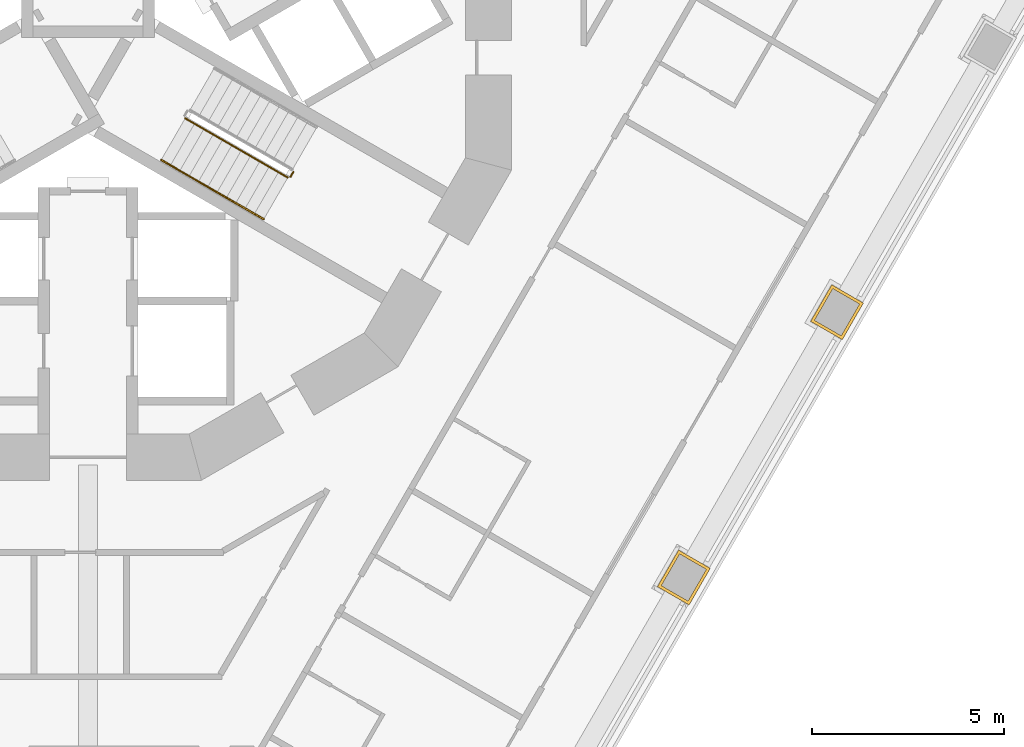
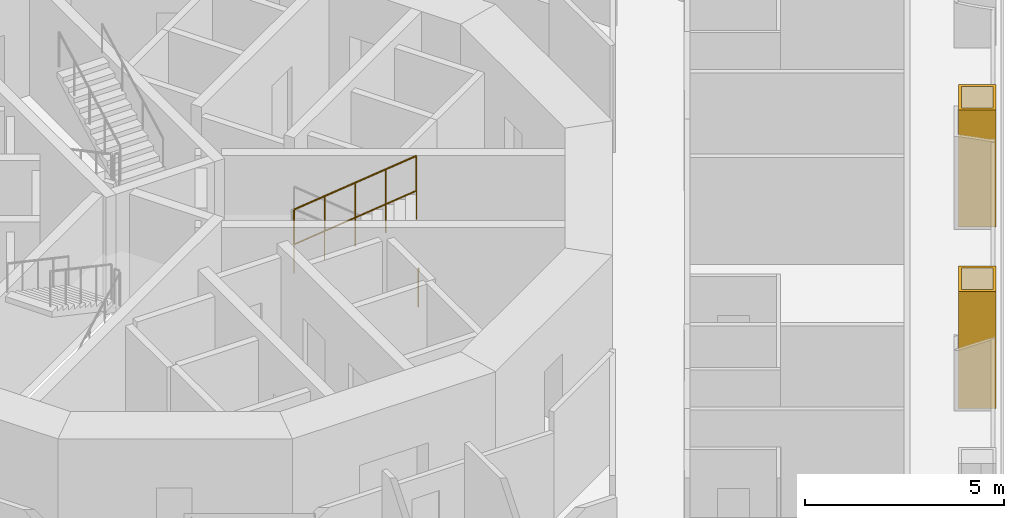
# One storey, part 14 of 19: 4 railings, 2 coverings.
"""IFC4 building model written with IfcOpenShell, lengths in metres."""

from ifc_helpers import new_model, si_unit, direction, frame, origin, origin_2d, place, context, subcontext, project, spatial, polyline, circle, outline, extrude, material, layer, layer_set, type_object, element, save


model = new_model("IFC4")

# Units and contexts
model_context = context("Model", 3, precision=1e-05, world=origin(), true_north=direction((0.0, 1.0)))
body_context = subcontext(model_context, "Body", "Model", "MODEL_VIEW")
ifc_project = project(units=[si_unit("LENGTHUNIT", "METRE"), si_unit("AREAUNIT", "SQUARE_METRE"), si_unit("VOLUMEUNIT", "CUBIC_METRE"), si_unit("PLANEANGLEUNIT", "RADIAN"), si_unit("MASSUNIT", "GRAM", prefix="KILO")], contexts=[model_context])

# Site, building, storey
site_placement = place(None, origin())
site = spatial("IfcSite", under=ifc_project, at=site_placement, CompositionType="ELEMENT")
building_placement = place(site_placement, origin())
building = spatial("IfcBuilding", under=site, at=building_placement, Name="Trine Commons Tower", CompositionType="ELEMENT")
storey_placement = place(building_placement, frame((0.0, 0.0, 31.5)))
storey = spatial("IfcBuildingStorey", under=building, at=storey_placement, Name="L06", CompositionType="ELEMENT", Elevation=31.5)

# Coverings
ifc_material_1 = material(Name="Limestone, honed", Category="masonry")
ifc_layer = layer(ifc_material_1, 0.074951171875)
ifc_layer_set = layer_set([ifc_layer], Name="Limestone, honed")
covering_type = type_object("IfcCoveringType", Name="Limestone column cladding 75", PredefinedType="CLADDING", material=ifc_layer_set)
covering_1_placement = place(storey_placement, origin())
element("IfcCovering", 1, at=covering_1_placement, inside=storey, type_object=covering_type, Name="Limestone pier cladding 1-20", PredefinedType="CLADDING", context=body_context, shape_type="SweptSolid", body=[
    extrude(outline(polyline([(100.15771484375, 56.0947265625), (99.334716796875, 56.569580078125), (98.784912109375, 55.6171875), (99.607666015625, 55.14208984375), (100.15771484375, 56.0947265625)]), holes=[polyline([(100.05517578125, 56.0673828125), (99.3623046875, 56.46728515625), (98.88720703125, 55.64453125), (99.580078125, 55.244384765625), (100.05517578125, 56.0673828125)])]), origin(), (0.0, 0.0, 1.0), 3.60009765625),
])
covering_2_placement = place(storey_placement, origin())
element("IfcCovering", 2, at=covering_2_placement, inside=storey, type_object=covering_type, Name="Limestone pier cladding 1-21", PredefinedType="CLADDING", context=body_context, shape_type="SweptSolid", body=[
    extrude(outline(polyline([(96.17578125, 49.1982421875), (95.35302734375, 49.67333984375), (94.802978515625, 48.720703125), (95.6259765625, 48.24560546875), (96.17578125, 49.1982421875)]), holes=[polyline([(96.073486328125, 49.1708984375), (95.380615234375, 49.57080078125), (94.905517578125, 48.748046875), (95.598388671875, 48.34814453125), (96.073486328125, 49.1708984375)])]), origin(), (0.0, 0.0, 1.0), 3.60009765625),
])

# Railings
ifc_material_2 = material(Name="Stainless steel balustrade", Category="steel")
railing_type_1 = type_object("IfcRailingType", Name="Stair guard, steel balustrade 1100", PredefinedType="GUARDRAIL", material=ifc_material_2)
railing_1_placement = place(storey_placement, frame((82.52734375, 60.896484375, 1.949951171875)))
element("IfcRailing", 3, at=railing_1_placement, inside=storey, type_object=railing_type_1, Name="L06 ST3A stair guard 3", PredefinedType="GUARDRAIL", context=body_context, shape_type="SweptSolid", body=[
    extrude(circle(Radius=0.02392578125, at=origin_2d()), frame((0.0, 0.0, 1.076171875), z_axis=(0.763379768245, -0.440728498818, 0.472239049384), x_axis=(0.499992328818, 0.866029832698, 0.0)), (0.0, 0.0, 1.0), 3.494384765625),
    extrude(circle(Radius=0.02099609375, at=origin_2d()), origin(), (0.0, 0.0, 1.0), 1.052001953125),
    extrude(circle(Radius=0.02099609375, at=origin_2d()), frame((0.6669921875, -0.385009765625, 0.41259765625)), (0.0, 0.0, 1.0), 1.052001953125),
    extrude(circle(Radius=0.02099609375, at=origin_2d()), frame((1.333740234375, -0.77001953125, 0.8251953125)), (0.0, 0.0, 1.0), 1.052001953125),
    extrude(circle(Radius=0.02099609375, at=origin_2d()), frame((2.00048828125, -1.155029296875, 1.237548828125)), (0.0, 0.0, 1.0), 1.052001953125),
    extrude(circle(Radius=0.02099609375, at=origin_2d()), frame((2.66748046875, -1.5400390625, 1.650146484375)), (0.0, 0.0, 1.0), 1.052001953125),
])
railing_2_placement = place(storey_placement, frame((85.338134765625, 59.504638671875, 0.0)))
element("IfcRailing", 4, at=railing_2_placement, inside=storey, type_object=railing_type_1, Name="L06 ST3A stair guard 4", PredefinedType="GUARDRAIL", context=body_context, shape_type="SweptSolid", body=[
    extrude(circle(Radius=0.02392578125, at=origin_2d()), frame((0.0, 0.0, 1.076171875), z_axis=(-0.499816412211, -0.866131372301, 0.0), x_axis=(0.866131372301, -0.499816412211, 0.0)), (0.0, 0.0, 1.0), 0.14990234375),
    extrude(circle(Radius=0.02099609375, at=origin_2d()), origin(), (0.0, 0.0, 1.0), 1.052001953125),
    extrude(circle(Radius=0.02099609375, at=origin_2d()), frame((-0.074951171875, -0.1298828125, 0.0)), (0.0, 0.0, 1.0), 1.052001953125),
])
ifc_material_3 = material(Name="Stainless steel handrail", Category="steel")
railing_type_2 = type_object("IfcRailingType", Name="Stair handrail, steel 900", PredefinedType="HANDRAIL", material=ifc_material_3)
railing_3_placement = place(storey_placement, frame((81.90234375, 59.81396484375, 1.949951171875)))
element("IfcRailing", 5, at=railing_3_placement, inside=storey, type_object=railing_type_2, Name="L06 ST3A stair handrail 3", PredefinedType="HANDRAIL", context=body_context, shape_type="SweptSolid", body=[
    extrude(circle(Radius=0.02099609375, at=origin_2d()), frame((0.0, 0.0, 0.87890625), z_axis=(0.76340495495, -0.440743040072, 0.472184759798), x_axis=(0.499992328818, 0.866029832698, 0.0)), (0.0, 0.0, 1.0), 1.7470703125),
    extrude(circle(Radius=0.01513671875, at=origin_2d()), origin(), (0.0, 0.0, 1.0), 0.85791015625),
    extrude(circle(Radius=0.01513671875, at=origin_2d()), frame((0.6669921875, -0.385009765625, 0.41259765625)), (0.0, 0.0, 1.0), 0.85791015625),
    extrude(circle(Radius=0.01513671875, at=origin_2d()), frame((1.333740234375, -0.77001953125, 0.824951171875)), (0.0, 0.0, 1.0), 0.85791015625),
])
railing_4_placement = place(storey_placement, frame((83.236083984375, 59.0439453125, 2.77490234375)))
element("IfcRailing", 6, at=railing_4_placement, inside=storey, type_object=railing_type_2, Name="L06 ST3A stair handrail 4", PredefinedType="HANDRAIL", context=body_context, shape_type="SweptSolid", body=[
    extrude(circle(Radius=0.02099609375, at=origin_2d()), frame((0.0, 0.0, 0.87890625), z_axis=(0.763354580307, -0.440713956853, 0.472293333596), x_axis=(0.499992328818, 0.866029832698, 0.0)), (0.0, 0.0, 1.0), 1.747314453125),
    extrude(circle(Radius=0.01513671875, at=origin_2d()), origin(), (0.0, 0.0, 1.0), 0.85791015625),
    extrude(circle(Radius=0.01513671875, at=origin_2d()), frame((0.6669921875, -0.385009765625, 0.41259765625)), (0.0, 0.0, 1.0), 0.85791015625),
    extrude(circle(Radius=0.01513671875, at=origin_2d()), frame((1.333740234375, -0.77001953125, 0.8251953125)), (0.0, 0.0, 1.0), 0.85791015625),
])

save(model, "model.ifc")
